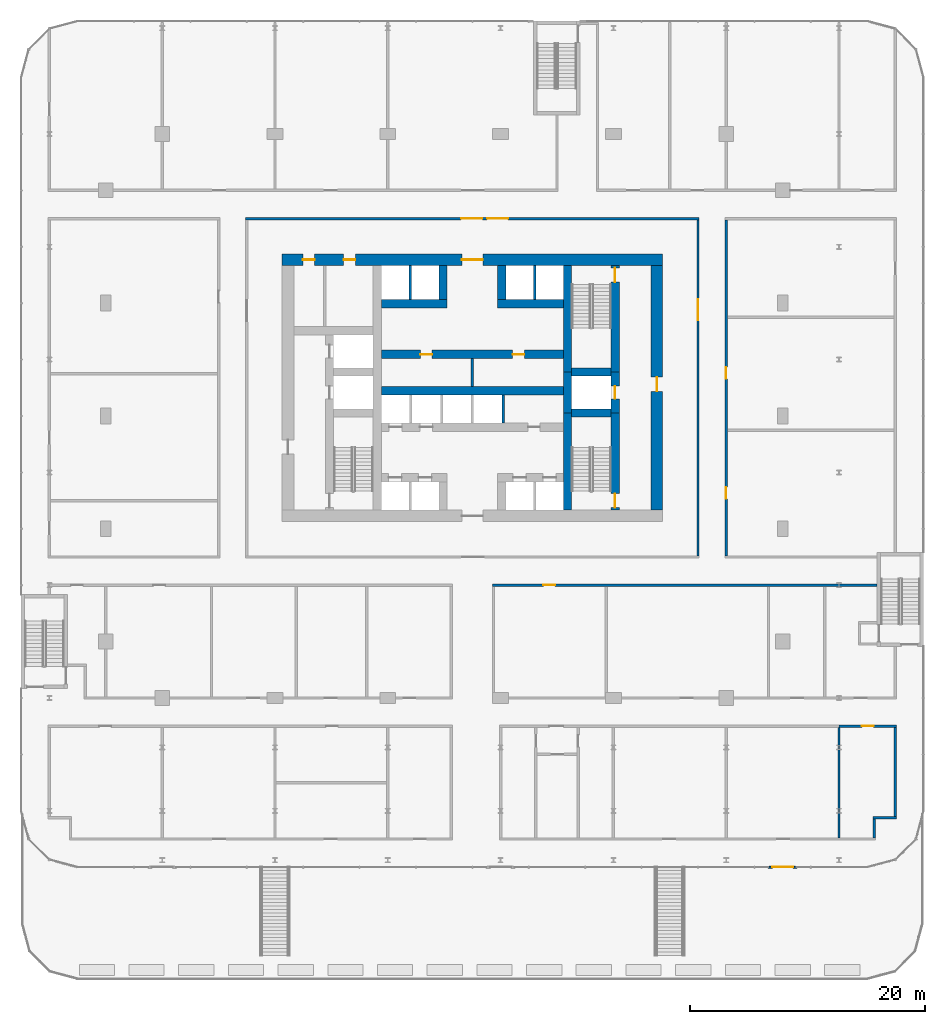
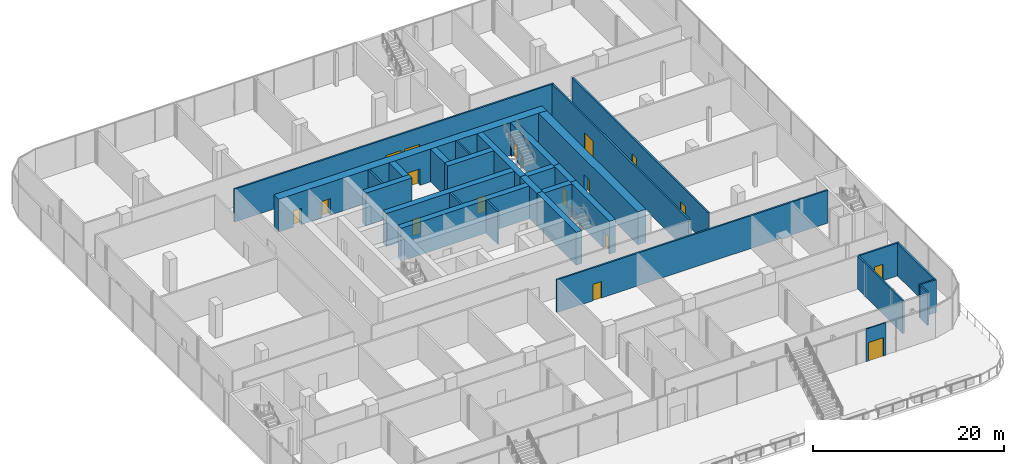
# One storey, part 29 of 38: 30 walls, 17 doors, 17 openings.
"""IFC4 building model written with IfcOpenShell, lengths in metres."""

import ifcopenshell
import ifcopenshell.guid

model = None  # the IFC model being written
_history = None  # IfcOwnerHistory: only IFC2X3 demands one
_inside = {}  # id of a spatial element -> (the spatial element, [elements in it])
_under = {}  # id of a project, library or spatial element -> (it, [spatial elements below it])
_declared = {}  # id of a project -> (the project, [libraries it declares])
_typed = {}  # id of a type object -> (the type object, [elements of that type])
_made_of = {}  # id of a material, layer set ... -> (it, [elements and type objects made of it])


def new_model(schema):
    """Start an empty IFC model of exactly this schema.

    Asked for "IFC4X3", IfcOpenShell would pick the latest addendum, in which some entities
    have other attributes; the version numbers below select the first issue.
    IFC2X3 requires an IfcOwnerHistory on every rooted entity: one is made here for all.
    """
    global model, _history
    if schema == "IFC4X3":
        model = ifcopenshell.file(schema_version=(4, 3, 0, 0))
    else:
        model = ifcopenshell.file(schema=schema)
    _inside.clear()
    _under.clear()
    _declared.clear()
    _typed.clear()
    _made_of.clear()
    _history = None
    if model.schema == "IFC2X3":
        org = make("IfcOrganization", Name="unknown")
        user = make(
            "IfcPersonAndOrganization",
            ThePerson=make("IfcPerson", FamilyName="unknown"),
            TheOrganization=org,
        )
        app = make(
            "IfcApplication",
            ApplicationDeveloper=org,
            Version="unknown",
            ApplicationFullName="unknown",
            ApplicationIdentifier="unknown",
        )
        _history = make(
            "IfcOwnerHistory",
            OwningUser=user,
            OwningApplication=app,
            ChangeAction="ADDED",
            CreationDate=0,
        )
    return model


def make(cls, **values):
    """One entity of the class cls with the attributes given. An attribute that is None is left unset."""
    return model.create_entity(
        cls, **{name: value for name, value in values.items() if value is not None}
    )


def rooted(cls, **values):
    """An entity with a GlobalId (a new one), such as an element, a storey or a relation."""
    return make(cls, GlobalId=ifcopenshell.guid.new(), OwnerHistory=_history, **values)


def si_unit(unit_type, name, prefix=None):
    """IfcSIUnit, for example si_unit("LENGTHUNIT", "METRE", prefix="MILLI")."""
    return make("IfcSIUnit", UnitType=unit_type, Prefix=prefix, Name=name)


def assignment(units):
    """IfcUnitAssignment: the units of a project."""
    return None if units is None else make("IfcUnitAssignment", Units=units)


def point(xyz):
    """IfcCartesianPoint."""
    return None if xyz is None else make("IfcCartesianPoint", Coordinates=xyz)


def direction(xyz):
    """IfcDirection."""
    return None if xyz is None else make("IfcDirection", DirectionRatios=xyz)


def frame(location, z_axis=None, x_axis=None):
    """IfcAxis2Placement3D, a coordinate frame: its origin and axes. An axis left out is left unset."""
    return make(
        "IfcAxis2Placement3D",
        Location=point(location),
        Axis=direction(z_axis),
        RefDirection=direction(x_axis),
    )


def frame_2d(location, x_axis=None):
    """IfcAxis2Placement2D, a coordinate frame in the plane: its origin and x axis."""
    return make(
        "IfcAxis2Placement2D", Location=point(location), RefDirection=direction(x_axis)
    )


def origin():
    """The frame at (0, 0, 0) with its axes left unset."""
    return frame((0.0, 0.0, 0.0))


def place(relative_to, where):
    """IfcLocalPlacement: puts the frame where relative to a parent placement (None: the world)."""
    return make(
        "IfcLocalPlacement", PlacementRelTo=relative_to, RelativePlacement=where
    )


def context(
    kind, dimensions, precision=None, world=None, true_north=None, identifier=None
):
    """IfcGeometricRepresentationContext, for example the 3D "Model" context."""
    return make(
        "IfcGeometricRepresentationContext",
        ContextIdentifier=identifier,
        ContextType=kind,
        CoordinateSpaceDimension=dimensions,
        Precision=precision,
        WorldCoordinateSystem=world,
        TrueNorth=true_north,
    )


def subcontext(parent, identifier, kind, view, scale=None):
    """IfcGeometricRepresentationSubContext, for example "Body" below "Model"."""
    return make(
        "IfcGeometricRepresentationSubContext",
        ContextIdentifier=identifier,
        ContextType=kind,
        ParentContext=parent,
        TargetScale=scale,
        TargetView=view,
    )


def project(units=None, contexts=None):
    """IfcProject with its units and contexts."""
    return rooted(
        "IfcProject",
        Name="project",
        RepresentationContexts=contexts,
        UnitsInContext=assignment(units),
    )


def spatial(cls, under=None, at=None, **own):
    """A site, building, storey or space (cls), placed at a placement, below another one or the project."""
    s = rooted(cls, ObjectPlacement=at, **own)
    if under is not None:
        _under.setdefault(under.id(), (under, []))[1].append(s)
    return s


def profile(cls, at=None, kind="AREA", **sizes):
    """A parametric profile (cls). Its sizes go by their IFC names, for example OverallWidth=200.0."""
    return make(cls, ProfileType=kind, Position=at, **sizes)


def rectangle(**sizes):
    """IfcRectangleProfileDef."""
    return profile("IfcRectangleProfileDef", **sizes)


def extrude(swept, where, along, depth):
    """IfcExtrudedAreaSolid: the profile swept, set in the frame where, extruded along a direction by depth."""
    return make(
        "IfcExtrudedAreaSolid",
        SweptArea=swept,
        Position=where,
        ExtrudedDirection=direction(along),
        Depth=depth,
    )


def shape(context_of_items, identifier, shape_type, items):
    """IfcShapeRepresentation: the items that make up one representation, for example the "Body"."""
    return make(
        "IfcShapeRepresentation",
        ContextOfItems=context_of_items,
        RepresentationIdentifier=identifier,
        RepresentationType=shape_type,
        Items=items,
    )


def material(Name=None, Category=None):
    """IfcMaterial."""
    return make("IfcMaterial", Name=Name, Category=Category)


def layer(
    of_material, thickness, ventilated=None, Name=None, Category=None, Priority=None
):
    """IfcMaterialLayer: one layer of a wall or slab, of a material (None: an air gap)."""
    return make(
        "IfcMaterialLayer",
        Material=of_material,
        LayerThickness=thickness,
        IsVentilated=ventilated,
        Name=Name,
        Category=Category,
        Priority=Priority,
    )


def layer_set(layers, Name=None):
    """IfcMaterialLayerSet."""
    return make("IfcMaterialLayerSet", MaterialLayers=layers, LayerSetName=Name)


def made_of(thing, what):
    """Note that an element or type object is made of a material, layer set ...; save() writes the relation."""
    if what is not None:
        _made_of.setdefault(what.id(), (what, []))[1].append(thing)
    return thing


def type_object(cls, material=None, **own):
    """A type object (cls), such as IfcWallType, which elements share."""
    return made_of(rooted(cls, **own), material)


def element(
    cls,
    number,
    at=None,
    inside=None,
    cuts=None,
    type_object=None,
    material=None,
    context=None,
    identifier="Body",
    shape_type=None,
    held_by="IfcProductDefinitionShape",
    body=None,
    shapes=None,
    **own,
):
    """One element of the class cls, such as IfcWall. Its Tag is "e" and its number.

    at: its placement. inside: the storey or other place that contains it. cuts: it is an
    opening in that element (IfcRelVoidsElement). A single representation is given by context,
    identifier, shape_type and body (its items); several are given by shapes. held_by: the class
    of the entity that holds the representations. save() writes the other relations.
    """
    e = rooted(cls, Tag="e%d" % number, ObjectPlacement=at, **own)
    if body is not None:
        shapes = [shape(context, identifier, shape_type, body)]
    if shapes is not None:
        e.Representation = make(held_by, Representations=shapes)
    if inside is not None:
        _inside.setdefault(inside.id(), (inside, []))[1].append(e)
    if cuts is not None:
        rooted(
            "IfcRelVoidsElement", RelatingBuildingElement=cuts, RelatedOpeningElement=e
        )
    if type_object is not None:
        _typed.setdefault(type_object.id(), (type_object, []))[1].append(e)
    return made_of(e, material)


def fill(opening, filler):
    """IfcRelFillsElement: the door or window that sits in an opening."""
    return rooted(
        "IfcRelFillsElement",
        RelatingOpeningElement=opening,
        RelatedBuildingElement=filler,
    )


def aggregate(whole, parts):
    """IfcRelAggregates: a whole, such as a stair, and the parts it consists of."""
    return rooted("IfcRelAggregates", RelatingObject=whole, RelatedObjects=parts)


def save(model, path):
    """Write the relations noted so far, then the file.

    IfcRelAggregates (storeys below a building ...), IfcRelContainedInSpatialStructure (elements
    in a storey), IfcRelDefinesByType, IfcRelAssociatesMaterial and IfcRelDeclares: one each for
    every whole, place, type object, material and project.
    """
    for whole, parts in _under.values():
        aggregate(whole, parts)
    for where, things in _inside.values():
        rooted(
            "IfcRelContainedInSpatialStructure",
            RelatedElements=things,
            RelatingStructure=where,
        )
    for kind, things in _typed.values():
        rooted("IfcRelDefinesByType", RelatedObjects=things, RelatingType=kind)
    for what, things in _made_of.values():
        rooted("IfcRelAssociatesMaterial", RelatedObjects=things, RelatingMaterial=what)
    for by, libraries in _declared.values():
        rooted("IfcRelDeclares", RelatingContext=by, RelatedDefinitions=libraries)
    model.write(path)


model = new_model("IFC4")

# Units and contexts
model_context = context("Model", 3, precision=1e-05, world=origin(), true_north=direction((0.0, 1.0)))
body_context = subcontext(model_context, "Body", "Model", "MODEL_VIEW")
ifc_project = project(units=[si_unit("LENGTHUNIT", "METRE"), si_unit("AREAUNIT", "SQUARE_METRE"), si_unit("VOLUMEUNIT", "CUBIC_METRE"), si_unit("PLANEANGLEUNIT", "RADIAN"), si_unit("MASSUNIT", "GRAM", prefix="KILO")], contexts=[model_context])

# Site, building, storey
site_placement = place(None, origin())
site = spatial("IfcSite", under=ifc_project, at=site_placement, CompositionType="ELEMENT")
building_placement = place(site_placement, origin())
building = spatial("IfcBuilding", under=site, at=building_placement, Name="Madar Terraces", CompositionType="ELEMENT")
storey_placement = place(building_placement, frame((0.0, 0.0, 15.0)))
storey = spatial("IfcBuildingStorey", under=building, at=storey_placement, Name="L03", CompositionType="ELEMENT", Elevation=15.0)

# Walls
ifc_material_1 = material(Name="Concrete C80/95", Category="concrete")
ifc_layer_1 = layer(ifc_material_1, 0.699951171875)
ifc_layer_set_1 = layer_set([ifc_layer_1], Name="Concrete C80/95 (CIW1 RC wall 700)")
wall_type_1 = type_object("IfcWallType", Name="CIW1 RC wall 700", PredefinedType="SHEAR", material=ifc_layer_set_1)
wall_1_placement = place(storey_placement, frame((39.300048828125, 16.0, 0.0), z_axis=(0.0, 0.0, 1.0), x_axis=(0.0, 1.0, 0.0)))
element("IfcWall", 1, at=wall_1_placement, inside=storey, type_object=wall_type_1, Name="CORE SHAFT WALL", PredefinedType="SHEAR", context=body_context, shape_type="SweptSolid", body=[
    extrude(rectangle(XDim=8.25, YDim=0.699951171875, at=frame_2d((4.125, 0.0))), origin(), (0.0, 0.0, 1.0), 4.199951171875),
])
wall_2_placement = place(storey_placement, frame((39.300048828125, 24.25, 0.0), z_axis=(0.0, 0.0, 1.0), x_axis=(0.0, 1.0, 0.0)))
element("IfcWall", 2, at=wall_2_placement, inside=storey, type_object=wall_type_1, Name="CORE SHAFT WALL", PredefinedType="SHEAR", context=body_context, shape_type="SweptSolid", body=[
    extrude(rectangle(XDim=3.5, YDim=0.699951171875, at=frame_2d((1.75, 0.0))), origin(), (0.0, 0.0, 1.0), 4.199951171875),
])
wall_3_placement = place(storey_placement, frame((39.300048828125, 27.75, 0.0), z_axis=(0.0, 0.0, 1.0), x_axis=(0.0, 1.0, 0.0)))
element("IfcWall", 3, at=wall_3_placement, inside=storey, type_object=wall_type_1, Name="CORE SHAFT WALL", PredefinedType="SHEAR", context=body_context, shape_type="SweptSolid", body=[
    extrude(rectangle(XDim=9.050048828125, YDim=0.699951171875, at=frame_2d((4.52490234375, 0.0))), origin(), (0.0, 0.0, 1.0), 4.199951171875),
])

# Wall, opening, door
wall_4_placement = place(storey_placement, frame((43.35009765625, 16.0, 0.0), z_axis=(0.0, 0.0, 1.0), x_axis=(0.0, 1.0, 0.0)))
wall_4 = element("IfcWall", 4, at=wall_4_placement, inside=storey, type_object=wall_type_1, Name="CORE SHAFT WALL", PredefinedType="SHEAR", context=body_context, shape_type="SweptSolid", body=[
    extrude(rectangle(XDim=8.25, YDim=0.699951171875, at=frame_2d((4.125, 0.0))), origin(), (0.0, 0.0, 1.0), 4.199951171875),
])
opening_1_placement = place(wall_4_placement, frame((0.199951171875, 0.0, 0.0)))
opening_1 = element("IfcOpeningElement", 5, at=opening_1_placement, cuts=wall_4, Name="Opening SD1", PredefinedType="OPENING", context=body_context, shape_type="SweptSolid", body=[
    extrude(rectangle(XDim=1.199951171875, YDim=2.10009765625, at=frame_2d((0.60009765625, 1.050048828125))), frame((0.0, 0.35986328125, 0.0), z_axis=(0.0, -1.0, 0.0), x_axis=(1.0, 0.0, 0.0)), (0.0, 0.0, 1.0), 0.719970703125),
])
ifc_material_2 = material(Name="Steel door leaf", Category="steel")
door_type_1 = type_object("IfcDoorType", Name="Stair door 1200 x 2100", OperationType="NOTDEFINED", PredefinedType="DOOR", material=ifc_material_2)
door_1_placement = place(opening_1_placement, origin())
door_1 = element("IfcDoor", 6, at=door_1_placement, inside=storey, type_object=door_type_1, Name="STAIR DOOR", OperationType="SINGLE_SWING_RIGHT", OverallHeight=2.10009765625, OverallWidth=1.199951171875, PredefinedType="DOOR", context=body_context, shape_type="SweptSolid", body=[
    extrude(rectangle(XDim=1.199951171875, YDim=2.10009765625, at=frame_2d((0.60009765625, 1.050048828125))), frame((0.0, 0.02490234375, 0.0), z_axis=(0.0, -1.0, 0.0), x_axis=(1.0, 0.0, 0.0)), (0.0, 0.0, 1.0), 0.050048828125),
])
fill(opening_1, door_1)

wall_5_placement = place(storey_placement, frame((43.35009765625, 24.25, 0.0), z_axis=(0.0, 0.0, 1.0), x_axis=(0.0, 1.0, 0.0)))
wall_5 = element("IfcWall", 7, at=wall_5_placement, inside=storey, type_object=wall_type_1, Name="CORE SHAFT WALL", PredefinedType="SHEAR", context=body_context, shape_type="SweptSolid", body=[
    extrude(rectangle(XDim=3.5, YDim=0.699951171875, at=frame_2d((1.75, 0.0))), origin(), (0.0, 0.0, 1.0), 4.199951171875),
])
opening_2_placement = place(wall_5_placement, frame((1.199951171875, 0.0, 0.0)))
opening_2 = element("IfcOpeningElement", 8, at=opening_2_placement, cuts=wall_5, Name="Opening LD", PredefinedType="OPENING", context=body_context, shape_type="SweptSolid", body=[
    extrude(rectangle(XDim=1.10009765625, YDim=2.10009765625, at=frame_2d((0.550048828125, 1.050048828125))), frame((0.0, 0.35986328125, 0.0), z_axis=(0.0, -1.0, 0.0), x_axis=(1.0, 0.0, 0.0)), (0.0, 0.0, 1.0), 0.719970703125),
])
ifc_material_3 = material(Name="Stainless steel panel", Category="steel")
door_type_2 = type_object("IfcDoorType", Name="Lift landing door 1100 x 2100", OperationType="DOUBLE_DOOR_SLIDING", PredefinedType="DOOR", material=ifc_material_3)
door_2_placement = place(opening_2_placement, origin())
door_2 = element("IfcDoor", 9, at=door_2_placement, inside=storey, type_object=door_type_2, Name="LIFT LANDING DOOR", OperationType="DOUBLE_DOOR_SLIDING", OverallHeight=2.10009765625, OverallWidth=1.10009765625, PredefinedType="DOOR", context=body_context, shape_type="SweptSolid", body=[
    extrude(rectangle(XDim=1.10009765625, YDim=2.10009765625, at=frame_2d((0.550048828125, 1.050048828125))), frame((0.0, 0.02490234375, 0.0), z_axis=(0.0, -1.0, 0.0), x_axis=(1.0, 0.0, 0.0)), (0.0, 0.0, 1.0), 0.050048828125),
])
fill(opening_2, door_2)

wall_6_placement = place(storey_placement, frame((43.35009765625, 27.75, 0.0), z_axis=(0.0, 0.0, 1.0), x_axis=(0.0, 1.0, 0.0)))
wall_6 = element("IfcWall", 10, at=wall_6_placement, inside=storey, type_object=wall_type_1, Name="CORE SHAFT WALL", PredefinedType="SHEAR", context=body_context, shape_type="SweptSolid", body=[
    extrude(rectangle(XDim=9.050048828125, YDim=0.699951171875, at=frame_2d((4.52490234375, 0.0))), origin(), (0.0, 0.0, 1.0), 4.199951171875),
])
opening_3_placement = place(wall_6_placement, frame((7.64990234375, 0.0, 0.0)))
opening_3 = element("IfcOpeningElement", 11, at=opening_3_placement, cuts=wall_6, Name="Opening SD1", PredefinedType="OPENING", context=body_context, shape_type="SweptSolid", body=[
    extrude(rectangle(XDim=1.199951171875, YDim=2.10009765625, at=frame_2d((0.60009765625, 1.050048828125))), frame((0.0, 0.35986328125, 0.0), z_axis=(0.0, -1.0, 0.0), x_axis=(1.0, 0.0, 0.0)), (0.0, 0.0, 1.0), 0.719970703125),
])
door_3_placement = place(opening_3_placement, origin())
door_3 = element("IfcDoor", 12, at=door_3_placement, inside=storey, type_object=door_type_1, Name="STAIR DOOR", OperationType="SINGLE_SWING_LEFT", OverallHeight=2.10009765625, OverallWidth=1.199951171875, PredefinedType="DOOR", context=body_context, shape_type="SweptSolid", body=[
    extrude(rectangle(XDim=1.199951171875, YDim=2.10009765625, at=frame_2d((0.60009765625, 1.050048828125))), frame((0.0, 0.02490234375, 0.0), z_axis=(0.0, -1.0, 0.0), x_axis=(1.0, 0.0, 0.0)), (0.0, 0.0, 1.0), 0.050048828125),
])
fill(opening_3, door_3)

# Walls
for number, where, z_axis, x_axis, name in (
    (13, (39.64990234375, 24.25, 0.0), (0.0, 0.0, 1.0), (1.0, 0.0, 0.0), "CORE SHAFT WALL"),
    (14, (39.64990234375, 27.75, 0.0), (0.0, 0.0, 1.0), (1.0, 0.0, 0.0), "CORE SHAFT WALL"),
):
    element("IfcWall", number, at=place(storey_placement, frame(where, z_axis=z_axis, x_axis=x_axis)), inside=storey, type_object=wall_type_1, Name=name, PredefinedType="SHEAR", context=body_context, shape_type="SweptSolid", body=[
        extrude(rectangle(XDim=3.35009765625, YDim=0.699951171875, at=frame_2d((1.675048828125, 0.0))), origin(), (0.0, 0.0, 1.0), 4.199951171875),
    ])
wall_7_placement = place(storey_placement, frame((23.449951171875, 26.14990234375, 0.0), z_axis=(0.0, 0.0, 1.0), x_axis=(1.0, 0.0, 0.0)))
element("IfcWall", 15, at=wall_7_placement, inside=storey, type_object=wall_type_1, Name="CORE SHAFT WALL", PredefinedType="SHEAR", context=body_context, shape_type="SweptSolid", body=[
    extrude(rectangle(XDim=15.5, YDim=0.699951171875, at=frame_2d((7.75, 0.0))), origin(), (0.0, 0.0, 1.0), 4.199951171875),
])

# Wall, openings, doors
wall_8_placement = place(storey_placement, frame((23.449951171875, 29.25, 0.0), z_axis=(0.0, 0.0, 1.0), x_axis=(1.0, 0.0, 0.0)))
wall_8 = element("IfcWall", 16, at=wall_8_placement, inside=storey, type_object=wall_type_1, Name="CORE SHAFT WALL", PredefinedType="SHEAR", context=body_context, shape_type="SweptSolid", body=[
    extrude(rectangle(XDim=15.5, YDim=0.699951171875, at=frame_2d((7.75, 0.0))), origin(), (0.0, 0.0, 1.0), 4.199951171875),
])
opening_4_placement = place(wall_8_placement, frame((3.324951171875, 0.0, 0.0)))
opening_4 = element("IfcOpeningElement", 17, at=opening_4_placement, cuts=wall_8, Name="Opening KD2", PredefinedType="OPENING", context=body_context, shape_type="SweptSolid", body=[
    extrude(rectangle(XDim=1.0, YDim=2.10009765625, at=frame_2d((0.5, 1.050048828125))), frame((0.0, 0.35986328125, 0.0), z_axis=(0.0, -1.0, 0.0), x_axis=(1.0, 0.0, 0.0)), (0.0, 0.0, 1.0), 0.719970703125),
])
opening_5_placement = place(wall_8_placement, frame((11.175048828125, 0.0, 0.0)))
opening_5 = element("IfcOpeningElement", 18, at=opening_5_placement, cuts=wall_8, Name="Opening KD2", PredefinedType="OPENING", context=body_context, shape_type="SweptSolid", body=[
    extrude(rectangle(XDim=1.0, YDim=2.10009765625, at=frame_2d((0.5, 1.050048828125))), frame((0.0, 0.35986328125, 0.0), z_axis=(0.0, -1.0, 0.0), x_axis=(1.0, 0.0, 0.0)), (0.0, 0.0, 1.0), 0.719970703125),
])
ifc_material_4 = material(Name="Steel door leaf", Category="steel")
door_type_3 = type_object("IfcDoorType", Name="Service room door 1000 x 2100", OperationType="NOTDEFINED", PredefinedType="DOOR", material=ifc_material_4)
door_4_placement = place(opening_4_placement, origin())
door_4 = element("IfcDoor", 19, at=door_4_placement, inside=storey, type_object=door_type_3, Name="SERVICE ROOM DOOR", OperationType="SINGLE_SWING_LEFT", OverallHeight=2.10009765625, OverallWidth=1.0, PredefinedType="DOOR", context=body_context, shape_type="SweptSolid", body=[
    extrude(rectangle(XDim=1.0, YDim=2.10009765625, at=frame_2d((0.5, 1.050048828125))), frame((0.0, 0.02490234375, 0.0), z_axis=(0.0, -1.0, 0.0), x_axis=(1.0, 0.0, 0.0)), (0.0, 0.0, 1.0), 0.050048828125),
])
fill(opening_4, door_4)
door_5_placement = place(opening_5_placement, origin())
door_5 = element("IfcDoor", 20, at=door_5_placement, inside=storey, type_object=door_type_3, Name="SERVICE ROOM DOOR", OperationType="SINGLE_SWING_RIGHT", OverallHeight=2.10009765625, OverallWidth=1.0, PredefinedType="DOOR", context=body_context, shape_type="SweptSolid", body=[
    extrude(rectangle(XDim=1.0, YDim=2.10009765625, at=frame_2d((0.5, 1.050048828125))), frame((0.0, 0.02490234375, 0.0), z_axis=(0.0, -1.0, 0.0), x_axis=(1.0, 0.0, 0.0)), (0.0, 0.0, 1.0), 0.050048828125),
])
fill(opening_5, door_5)

# Walls
wall_9_placement = place(storey_placement, frame((23.449951171875, 33.550048828125, 0.0), z_axis=(0.0, 0.0, 1.0), x_axis=(1.0, 0.0, 0.0)))
element("IfcWall", 21, at=wall_9_placement, inside=storey, type_object=wall_type_1, Name="CORE SHAFT WALL", PredefinedType="SHEAR", context=body_context, shape_type="SweptSolid", body=[
    extrude(rectangle(XDim=5.60009765625, YDim=0.699951171875, at=frame_2d((2.800048828125, 0.0))), origin(), (0.0, 0.0, 1.0), 4.199951171875),
])
wall_10_placement = place(storey_placement, frame((33.35009765625, 33.550048828125, 0.0), z_axis=(0.0, 0.0, 1.0), x_axis=(1.0, 0.0, 0.0)))
element("IfcWall", 22, at=wall_10_placement, inside=storey, type_object=wall_type_1, Name="CORE SHAFT WALL", PredefinedType="SHEAR", context=body_context, shape_type="SweptSolid", body=[
    extrude(rectangle(XDim=5.599853515625, YDim=0.699951171875, at=frame_2d((2.7998046875, 0.0))), origin(), (0.0, 0.0, 1.0), 4.199951171875),
])
for number, where, z_axis, x_axis, name in (
    (23, (28.699951171875, 33.89990234375, 0.0), (0.0, 0.0, 1.0), (0.0, 1.0, 0.0), "CORE SHAFT WALL"),
    (24, (33.699951171875, 33.89990234375, 0.0), (0.0, 0.0, 1.0), (0.0, 1.0, 0.0), "CORE SHAFT WALL"),
):
    element("IfcWall", number, at=place(storey_placement, frame(where, z_axis=z_axis, x_axis=x_axis)), inside=storey, type_object=wall_type_1, Name=name, PredefinedType="SHEAR", context=body_context, shape_type="SweptSolid", body=[
        extrude(rectangle(XDim=2.900146484375, YDim=0.699951171875, at=frame_2d((1.4501953125, 0.0))), origin(), (0.0, 0.0, 1.0), 4.199951171875),
    ])

# Wall, openings, doors
ifc_material_5 = material(Name="Concrete C80/95", Category="concrete")
ifc_layer_2 = layer(ifc_material_5, 1.0)
ifc_layer_set_2 = layer_set([ifc_layer_2], Name="Concrete C80/95 (CRW1 RC wall 1000)")
wall_type_2 = type_object("IfcWallType", Name="CRW1 RC wall 1000", PredefinedType="SHEAR", material=ifc_layer_set_2)
wall_11_placement = place(storey_placement, frame((15.0, 37.300048828125, 0.0), z_axis=(0.0, 0.0, 1.0), x_axis=(1.0, 0.0, 0.0)))
wall_11 = element("IfcWall", 25, at=wall_11_placement, inside=storey, type_object=wall_type_2, Name="CORE OUTER WALL", PredefinedType="SHEAR", context=body_context, shape_type="SweptSolid", body=[
    extrude(rectangle(XDim=32.39990234375, YDim=1.0, at=frame_2d((16.199951171875, 0.0))), origin(), (0.0, 0.0, 1.0), 4.199951171875),
])
opening_6_placement = place(wall_11_placement, frame((15.300048828125, 0.0, 0.0)))
opening_6 = element("IfcOpeningElement", 26, at=opening_6_placement, cuts=wall_11, Name="Opening KD1", PredefinedType="OPENING", context=body_context, shape_type="SweptSolid", body=[
    extrude(rectangle(XDim=1.800048828125, YDim=2.10009765625, at=frame_2d((0.89990234375, 1.050048828125))), frame((0.0, 0.510009765625, 0.0), z_axis=(0.0, -1.0, 0.0), x_axis=(1.0, 0.0, 0.0)), (0.0, 0.0, 1.0), 1.02001953125),
])
opening_7_placement = place(wall_11_placement, frame((1.766357421875, 0.0, 0.0)))
opening_7 = element("IfcOpeningElement", 27, at=opening_7_placement, cuts=wall_11, Name="Opening KD2", PredefinedType="OPENING", context=body_context, shape_type="SweptSolid", body=[
    extrude(rectangle(XDim=1.0, YDim=2.10009765625, at=frame_2d((0.5, 1.050048828125))), frame((0.0, 0.510009765625, 0.0), z_axis=(0.0, -1.0, 0.0), x_axis=(1.0, 0.0, 0.0)), (0.0, 0.0, 1.0), 1.02001953125),
])
opening_8_placement = place(wall_11_placement, frame((5.2412109375, 0.0, 0.0)))
opening_8 = element("IfcOpeningElement", 28, at=opening_8_placement, cuts=wall_11, Name="Opening KD2", PredefinedType="OPENING", context=body_context, shape_type="SweptSolid", body=[
    extrude(rectangle(XDim=1.0, YDim=2.10009765625, at=frame_2d((0.5, 1.050048828125))), frame((0.0, 0.510009765625, 0.0), z_axis=(0.0, -1.0, 0.0), x_axis=(1.0, 0.0, 0.0)), (0.0, 0.0, 1.0), 1.02001953125),
])
ifc_material_6 = material(Name="Steel door leaf", Category="steel")
door_type_4 = type_object("IfcDoorType", Name="Lobby door pair 1800 x 2100", OperationType="DOUBLE_DOOR_SINGLE_SWING", PredefinedType="DOOR", material=ifc_material_6)
door_6_placement = place(opening_6_placement, origin())
door_6 = element("IfcDoor", 29, at=door_6_placement, inside=storey, type_object=door_type_4, Name="LIFT LOBBY DOOR", OperationType="DOUBLE_DOOR_SINGLE_SWING", OverallHeight=2.10009765625, OverallWidth=1.800048828125, PredefinedType="DOOR", context=body_context, shape_type="SweptSolid", body=[
    extrude(rectangle(XDim=1.800048828125, YDim=2.10009765625, at=frame_2d((0.89990234375, 1.050048828125))), frame((0.0, 0.02490234375, 0.0), z_axis=(0.0, -1.0, 0.0), x_axis=(1.0, 0.0, 0.0)), (0.0, 0.0, 1.0), 0.050048828125),
])
fill(opening_6, door_6)
door_7_placement = place(opening_7_placement, origin())
door_7 = element("IfcDoor", 30, at=door_7_placement, inside=storey, type_object=door_type_3, Name="SERVICE ROOM DOOR", OperationType="SINGLE_SWING_RIGHT", OverallHeight=2.10009765625, OverallWidth=1.0, PredefinedType="DOOR", context=body_context, shape_type="SweptSolid", body=[
    extrude(rectangle(XDim=1.0, YDim=2.10009765625, at=frame_2d((0.5, 1.050048828125))), frame((0.0, 0.02490234375, 0.0), z_axis=(0.0, -1.0, 0.0), x_axis=(1.0, 0.0, 0.0)), (0.0, 0.0, 1.0), 0.050048828125),
])
fill(opening_7, door_7)
door_8_placement = place(opening_8_placement, origin())
door_8 = element("IfcDoor", 31, at=door_8_placement, inside=storey, type_object=door_type_3, Name="SERVICE ROOM DOOR", OperationType="SINGLE_SWING_LEFT", OverallHeight=2.10009765625, OverallWidth=1.0, PredefinedType="DOOR", context=body_context, shape_type="SweptSolid", body=[
    extrude(rectangle(XDim=1.0, YDim=2.10009765625, at=frame_2d((0.5, 1.050048828125))), frame((0.0, 0.02490234375, 0.0), z_axis=(0.0, -1.0, 0.0), x_axis=(1.0, 0.0, 0.0)), (0.0, 0.0, 1.0), 0.050048828125),
])
fill(opening_8, door_8)

# Wall, opening, door
wall_12_placement = place(storey_placement, frame((46.89990234375, 16.0, 0.0), z_axis=(0.0, 0.0, 1.0), x_axis=(0.0, 1.0, 0.0)))
wall_12 = element("IfcWall", 32, at=wall_12_placement, inside=storey, type_object=wall_type_2, Name="CORE OUTER WALL", PredefinedType="SHEAR", context=body_context, shape_type="SweptSolid", body=[
    extrude(rectangle(XDim=20.800048828125, YDim=1.0, at=frame_2d((10.39990234375, 0.0))), origin(), (0.0, 0.0, 1.0), 4.199951171875),
])
opening_9_placement = place(wall_12_placement, frame((10.10009765625, 0.0, 0.0)))
opening_9 = element("IfcOpeningElement", 33, at=opening_9_placement, cuts=wall_12, Name="Opening SD1", PredefinedType="OPENING", context=body_context, shape_type="SweptSolid", body=[
    extrude(rectangle(XDim=1.199951171875, YDim=2.10009765625, at=frame_2d((0.60009765625, 1.050048828125))), frame((0.0, 0.510009765625, 0.0), z_axis=(0.0, -1.0, 0.0), x_axis=(1.0, 0.0, 0.0)), (0.0, 0.0, 1.0), 1.02001953125),
])
door_9_placement = place(opening_9_placement, origin())
door_9 = element("IfcDoor", 34, at=door_9_placement, inside=storey, type_object=door_type_1, Name="STAIR DOOR", OperationType="SINGLE_SWING_LEFT", OverallHeight=2.10009765625, OverallWidth=1.199951171875, PredefinedType="DOOR", context=body_context, shape_type="SweptSolid", body=[
    extrude(rectangle(XDim=1.199951171875, YDim=2.10009765625, at=frame_2d((0.60009765625, 1.050048828125))), frame((0.0, 0.02490234375, 0.0), z_axis=(0.0, -1.0, 0.0), x_axis=(1.0, 0.0, 0.0)), (0.0, 0.0, 1.0), 0.050048828125),
])
fill(opening_9, door_9)

# Walls
ifc_material_7 = material(Name="Masonry blockwork", Category="masonry")
ifc_layer_3 = layer(ifc_material_7, 0.199951171875)
ifc_layer_set_3 = layer_set([ifc_layer_3], Name="Core partition 200 blockwork")
wall_type_3 = type_object("IfcWallType", Name="Core partition 200 blockwork", PredefinedType="PARTITIONING", material=ifc_layer_set_3)
wall_13_placement = place(storey_placement, frame((31.199951171875, 26.5, 0.0), z_axis=(0.0, 0.0, 1.0), x_axis=(0.0, 1.0, 0.0)))
element("IfcWall", 35, at=wall_13_placement, inside=storey, type_object=wall_type_3, Name="SERVICE ROOM PARTITION", PredefinedType="PARTITIONING", context=body_context, shape_type="SweptSolid", body=[
    extrude(rectangle(XDim=2.39990234375, YDim=0.199951171875, at=frame_2d((1.199951171875, 0.0))), origin(), (0.0, 0.0, 1.0), 4.199951171875),
])
ifc_material_8 = material(Name="Concrete C40/50", Category="concrete")
ifc_layer_4 = layer(ifc_material_8, 0.199951171875)
ifc_layer_set_4 = layer_set([ifc_layer_4], Name="Core shaft dividing wall 200 C40/50")
wall_type_4 = type_object("IfcWallType", Name="Core shaft dividing wall 200 C40/50", PredefinedType="SOLIDWALL", material=ifc_layer_set_4)
wall_14_placement = place(storey_placement, frame((33.816650390625, 23.39990234375, 0.0), z_axis=(0.0, 0.0, 1.0), x_axis=(0.0, 1.0, 0.0)))
element("IfcWall", 36, at=wall_14_placement, inside=storey, type_object=wall_type_4, Name="SHAFT DIVIDING WALL", PredefinedType="SOLIDWALL", context=body_context, shape_type="SweptSolid", body=[
    extrude(rectangle(XDim=2.400146484375, YDim=0.199951171875, at=frame_2d((1.2001953125, 0.0))), origin(), (0.0, 0.0, 1.0), 4.199951171875),
])
for number, where, z_axis, x_axis, name in (
    (37, (25.89990234375, 33.89990234375, 0.0), (0.0, 0.0, 1.0), (0.0, 1.0, 0.0), "SHAFT DIVIDING WALL"),
    (38, (36.5, 33.89990234375, 0.0), (0.0, 0.0, 1.0), (0.0, 1.0, 0.0), "SHAFT DIVIDING WALL"),
):
    element("IfcWall", number, at=place(storey_placement, frame(where, z_axis=z_axis, x_axis=x_axis)), inside=storey, type_object=wall_type_4, Name=name, PredefinedType="SOLIDWALL", context=body_context, shape_type="SweptSolid", body=[
        extrude(rectangle(XDim=2.900146484375, YDim=0.199951171875, at=frame_2d((1.4501953125, 0.0))), origin(), (0.0, 0.0, 1.0), 4.199951171875),
    ])

# Wall, opening, door
ifc_material_9 = material(Name="Aluminium composite panel, black, over insulated backing", Category="aluminium")
ifc_layer_5 = layer(ifc_material_9, 0.14990234375)
ifc_layer_set_5 = layer_set([ifc_layer_5], Name="Facade bay panel 150")
wall_type_5 = type_object("IfcWallType", Name="Facade bay panel 150", PredefinedType="SOLIDWALL", material=ifc_layer_set_5)
wall_15_placement = place(storey_placement, frame((56.39990234375, -14.39990234375, 0.0), z_axis=(0.0, 0.0, 1.0), x_axis=(1.0, 0.0, 0.0)))
wall_15 = element("IfcWall", 39, at=wall_15_placement, inside=storey, type_object=wall_type_5, Name="Facade bay panel", PredefinedType="SOLIDWALL", context=body_context, shape_type="SweptSolid", body=[
    extrude(rectangle(XDim=2.400146484375, YDim=0.14990234375, at=frame_2d((1.2001953125, 0.0))), origin(), (0.0, 0.0, 1.0), 4.199951171875),
])
opening_10_placement = place(wall_15_placement, frame((0.300048828125, 0.0, 0.0)))
opening_10 = element("IfcOpeningElement", 40, at=opening_10_placement, cuts=wall_15, Name="Opening ED1", PredefinedType="OPENING", context=body_context, shape_type="SweptSolid", body=[
    extrude(rectangle(XDim=1.800048828125, YDim=2.39990234375, at=frame_2d((0.89990234375, 1.199951171875))), frame((0.0, 0.0849609375, 0.0), z_axis=(0.0, -1.0, 0.0), x_axis=(1.0, 0.0, 0.0)), (0.0, 0.0, 1.0), 0.169921875),
])
ifc_material_10 = material(Name="Glass, clear, with black aluminium frame", Category="aluminium")
door_type_5 = type_object("IfcDoorType", Name="Balcony and terrace sliding door 1800 x 2400", OperationType="SLIDING_TO_LEFT", PredefinedType="DOOR", material=ifc_material_10)
door_10_placement = place(opening_10_placement, origin())
door_10 = element("IfcDoor", 41, at=door_10_placement, inside=storey, type_object=door_type_5, Name="Balcony door", OperationType="SLIDING_TO_LEFT", OverallHeight=2.39990234375, OverallWidth=1.800048828125, PredefinedType="DOOR", context=body_context, shape_type="SweptSolid", body=[
    extrude(rectangle(XDim=1.800048828125, YDim=2.39990234375, at=frame_2d((0.89990234375, 1.199951171875))), frame((0.0, 0.02490234375, 0.0), z_axis=(0.0, -1.0, 0.0), x_axis=(1.0, 0.0, 0.0)), (0.0, 0.0, 1.0), 0.050048828125),
])
fill(opening_10, door_10)

# Wall
ifc_material_11 = material(Name="Gypsum board partition, fire-rated")
ifc_layer_6 = layer(ifc_material_11, 0.199951171875)
ifc_layer_set_6 = layer_set([ifc_layer_6], Name="Partition 200 EI 60")
wall_type_6 = type_object("IfcWallType", Name="Partition 200 EI 60", PredefinedType="PARTITIONING", material=ifc_layer_set_6)
wall_16_placement = place(storey_placement, frame((65.300048828125, -10.199951171875, 0.0), z_axis=(0.0, 0.0, 1.0), x_axis=(1.0, 0.0, 0.0)))
element("IfcWall", 42, at=wall_16_placement, inside=storey, type_object=wall_type_6, Name="Wall CRAFT ROOM / PODIUM CORRIDOR", PredefinedType="PARTITIONING", context=body_context, shape_type="SweptSolid", body=[
    extrude(rectangle(XDim=2.0, YDim=0.199951171875, at=frame_2d((1.0, 0.0))), origin(), (0.0, 0.0, 1.0), 4.199951171875),
])

# Wall, opening, door
wall_17_placement = place(storey_placement, frame((67.300048828125, -2.39990234375, 0.0), z_axis=(0.0, 0.0, 1.0), x_axis=(-1.0, 0.0, 0.0)))
wall_17 = element("IfcWall", 43, at=wall_17_placement, inside=storey, type_object=wall_type_6, Name="Wall CRAFT ROOM / PODIUM CORRIDOR", PredefinedType="PARTITIONING", context=body_context, shape_type="SweptSolid", body=[
    extrude(rectangle(XDim=4.900146484375, YDim=0.199951171875, at=frame_2d((2.4501953125, 0.0))), origin(), (0.0, 0.0, 1.0), 4.199951171875),
])
opening_11_placement = place(wall_17_placement, frame((1.949951171875, 0.0, 0.0)))
opening_11 = element("IfcOpeningElement", 44, at=opening_11_placement, cuts=wall_17, Name="Opening D31", PredefinedType="OPENING", context=body_context, shape_type="SweptSolid", body=[
    extrude(rectangle(XDim=1.0, YDim=2.10009765625, at=frame_2d((0.5, 1.050048828125))), frame((0.0, 0.10986328125, 0.0), z_axis=(0.0, -1.0, 0.0), x_axis=(1.0, 0.0, 0.0)), (0.0, 0.0, 1.0), 0.219970703125),
])
ifc_material_12 = material(Name="Timber door leaf, fire-rated", Category="wood")
door_type_6 = type_object("IfcDoorType", Name="Podium door 1000 x 2100 FD30S", OperationType="NOTDEFINED", PredefinedType="DOOR", material=ifc_material_12)
door_11_placement = place(opening_11_placement, origin())
door_11 = element("IfcDoor", 45, at=door_11_placement, inside=storey, type_object=door_type_6, Name="Door CRAFT ROOM / PODIUM CORRIDOR", OperationType="SINGLE_SWING_LEFT", OverallHeight=2.10009765625, OverallWidth=1.0, PredefinedType="DOOR", context=body_context, shape_type="SweptSolid", body=[
    extrude(rectangle(XDim=1.0, YDim=2.10009765625, at=frame_2d((0.5, 1.050048828125))), frame((0.0, 0.02490234375, 0.0), z_axis=(0.0, -1.0, 0.0), x_axis=(1.0, 0.0, 0.0)), (0.0, 0.0, 1.0), 0.050048828125),
])
fill(opening_11, door_11)

wall_18_placement = place(storey_placement, frame((65.64990234375, 9.60009765625, 0.0), z_axis=(0.0, 0.0, 1.0), x_axis=(-1.0, 0.0, 0.0)))
wall_18 = element("IfcWall", 46, at=wall_18_placement, inside=storey, type_object=wall_type_6, Name="Wall ACTIVITY ROOM + CHILDRENS LIBRARY", PredefinedType="PARTITIONING", context=body_context, shape_type="SweptSolid", body=[
    extrude(rectangle(XDim=32.75, YDim=0.199951171875, at=frame_2d((16.375, 0.0))), origin(), (0.0, 0.0, 1.0), 4.199951171875),
])
opening_12_placement = place(wall_18_placement, frame((27.39990234375, 0.0, 0.0)))
opening_12 = element("IfcOpeningElement", 47, at=opening_12_placement, cuts=wall_18, Name="Opening D31", PredefinedType="OPENING", context=body_context, shape_type="SweptSolid", body=[
    extrude(rectangle(XDim=1.0, YDim=2.10009765625, at=frame_2d((0.5, 1.050048828125))), frame((0.0, 0.10986328125, 0.0), z_axis=(0.0, -1.0, 0.0), x_axis=(1.0, 0.0, 0.0)), (0.0, 0.0, 1.0), 0.219970703125),
])
door_12_placement = place(opening_12_placement, origin())
door_12 = element("IfcDoor", 48, at=door_12_placement, inside=storey, type_object=door_type_6, Name="Door CHILDRENS LIBRARY / PODIUM CORRIDOR", OperationType="SINGLE_SWING_LEFT", OverallHeight=2.10009765625, OverallWidth=1.0, PredefinedType="DOOR", context=body_context, shape_type="SweptSolid", body=[
    extrude(rectangle(XDim=1.0, YDim=2.10009765625, at=frame_2d((0.5, 1.050048828125))), frame((0.0, 0.02490234375, 0.0), z_axis=(0.0, -1.0, 0.0), x_axis=(1.0, 0.0, 0.0)), (0.0, 0.0, 1.0), 0.050048828125),
])
fill(opening_12, door_12)

# Wall, openings, doors
wall_19_placement = place(storey_placement, frame((50.5, 40.800048828125, 0.0), z_axis=(0.0, 0.0, 1.0), x_axis=(-1.0, 0.0, 0.0)))
wall_19 = element("IfcWall", 49, at=wall_19_placement, inside=storey, type_object=wall_type_6, Name="Wall PODIUM CORRIDOR / RING CORRIDOR", PredefinedType="PARTITIONING", context=body_context, shape_type="SweptSolid", body=[
    extrude(rectangle(XDim=38.60009765625, YDim=0.199951171875, at=frame_2d((19.300048828125, 0.0))), origin(), (0.0, 0.0, 1.0), 4.199951171875),
])
opening_13_placement = place(wall_19_placement, frame((18.449951171875, 0.0, 0.0)))
opening_13 = element("IfcOpeningElement", 50, at=opening_13_placement, cuts=wall_19, Name="Opening D30", PredefinedType="OPENING", context=body_context, shape_type="SweptSolid", body=[
    extrude(rectangle(XDim=1.800048828125, YDim=2.10009765625, at=frame_2d((0.89990234375, 1.050048828125))), frame((0.0, 0.10986328125, 0.0), z_axis=(0.0, -1.0, 0.0), x_axis=(1.0, 0.0, 0.0)), (0.0, 0.0, 1.0), 0.219970703125),
])
opening_14_placement = place(wall_19_placement, frame((16.25, 0.0, 0.0)))
opening_14 = element("IfcOpeningElement", 51, at=opening_14_placement, cuts=wall_19, Name="Opening D30", PredefinedType="OPENING", context=body_context, shape_type="SweptSolid", body=[
    extrude(rectangle(XDim=1.800048828125, YDim=2.10009765625, at=frame_2d((0.89990234375, 1.050048828125))), frame((0.0, 0.10986328125, 0.0), z_axis=(0.0, -1.0, 0.0), x_axis=(1.0, 0.0, 0.0)), (0.0, 0.0, 1.0), 0.219970703125),
])
ifc_material_13 = material(Name="Timber door leaf, fire-rated", Category="wood")
door_type_7 = type_object("IfcDoorType", Name="Podium double door 1800 x 2100 FD30S", OperationType="DOUBLE_DOOR_SINGLE_SWING", PredefinedType="DOOR", material=ifc_material_13)
door_13_placement = place(opening_13_placement, origin())
door_13 = element("IfcDoor", 52, at=door_13_placement, inside=storey, type_object=door_type_7, Name="Door PODIUM CORRIDOR / RING CORRIDOR", OperationType="DOUBLE_DOOR_SINGLE_SWING", OverallHeight=2.10009765625, OverallWidth=1.800048828125, PredefinedType="DOOR", context=body_context, shape_type="SweptSolid", body=[
    extrude(rectangle(XDim=1.800048828125, YDim=2.10009765625, at=frame_2d((0.89990234375, 1.050048828125))), frame((0.0, 0.02490234375, 0.0), z_axis=(0.0, -1.0, 0.0), x_axis=(1.0, 0.0, 0.0)), (0.0, 0.0, 1.0), 0.050048828125),
])
fill(opening_13, door_13)
door_14_placement = place(opening_14_placement, origin())
door_14 = element("IfcDoor", 53, at=door_14_placement, inside=storey, type_object=door_type_7, Name="Door PODIUM CORRIDOR / RING CORRIDOR", OperationType="DOUBLE_DOOR_SINGLE_SWING", OverallHeight=2.10009765625, OverallWidth=1.800048828125, PredefinedType="DOOR", context=body_context, shape_type="SweptSolid", body=[
    extrude(rectangle(XDim=1.800048828125, YDim=2.10009765625, at=frame_2d((0.89990234375, 1.050048828125))), frame((0.0, 0.02490234375, 0.0), z_axis=(0.0, -1.0, 0.0), x_axis=(1.0, 0.0, 0.0)), (0.0, 0.0, 1.0), 0.050048828125),
])
fill(opening_14, door_14)

# Wall, opening, door
wall_20_placement = place(storey_placement, frame((50.39990234375, 12.10009765625, 0.0), z_axis=(0.0, 0.0, 1.0), x_axis=(0.0, 1.0, 0.0)))
wall_20 = element("IfcWall", 54, at=wall_20_placement, inside=storey, type_object=wall_type_6, Name="Wall PODIUM CORRIDOR / RING CORRIDOR", PredefinedType="PARTITIONING", context=body_context, shape_type="SweptSolid", body=[
    extrude(rectangle(XDim=28.599853515625, YDim=0.199951171875, at=frame_2d((14.2998046875, 0.0))), origin(), (0.0, 0.0, 1.0), 4.199951171875),
])
opening_15_placement = place(wall_20_placement, frame((20.050048828125, 0.0, 0.0)))
opening_15 = element("IfcOpeningElement", 55, at=opening_15_placement, cuts=wall_20, Name="Opening D30", PredefinedType="OPENING", context=body_context, shape_type="SweptSolid", body=[
    extrude(rectangle(XDim=1.800048828125, YDim=2.10009765625, at=frame_2d((0.89990234375, 1.050048828125))), frame((0.0, 0.10986328125, 0.0), z_axis=(0.0, -1.0, 0.0), x_axis=(1.0, 0.0, 0.0)), (0.0, 0.0, 1.0), 0.219970703125),
])
door_15_placement = place(opening_15_placement, origin())
door_15 = element("IfcDoor", 56, at=door_15_placement, inside=storey, type_object=door_type_7, Name="Door PODIUM CORRIDOR / RING CORRIDOR", OperationType="DOUBLE_DOOR_SINGLE_SWING", OverallHeight=2.10009765625, OverallWidth=1.800048828125, PredefinedType="DOOR", context=body_context, shape_type="SweptSolid", body=[
    extrude(rectangle(XDim=1.800048828125, YDim=2.10009765625, at=frame_2d((0.89990234375, 1.050048828125))), frame((0.0, 0.02490234375, 0.0), z_axis=(0.0, -1.0, 0.0), x_axis=(1.0, 0.0, 0.0)), (0.0, 0.0, 1.0), 0.050048828125),
])
fill(opening_15, door_15)

# Wall, openings, doors
wall_21_placement = place(storey_placement, frame((52.800048828125, 40.699951171875, 0.0), z_axis=(0.0, 0.0, 1.0), x_axis=(0.0, -1.0, 0.0)))
wall_21 = element("IfcWall", 57, at=wall_21_placement, inside=storey, type_object=wall_type_6, Name="Wall ACTIVITY ROOM + CLEANERS STORE", PredefinedType="PARTITIONING", context=body_context, shape_type="SweptSolid", body=[
    extrude(rectangle(XDim=28.599853515625, YDim=0.199951171875, at=frame_2d((14.2998046875, 0.0))), origin(), (0.0, 0.0, 1.0), 4.199951171875),
])
opening_16_placement = place(wall_21_placement, frame((22.75, 0.0, 0.0)))
opening_16 = element("IfcOpeningElement", 58, at=opening_16_placement, cuts=wall_21, Name="Opening D31", PredefinedType="OPENING", context=body_context, shape_type="SweptSolid", body=[
    extrude(rectangle(XDim=1.0, YDim=2.10009765625, at=frame_2d((0.5, 1.050048828125))), frame((0.0, 0.10986328125, 0.0), z_axis=(0.0, -1.0, 0.0), x_axis=(1.0, 0.0, 0.0)), (0.0, 0.0, 1.0), 0.219970703125),
])
opening_17_placement = place(wall_21_placement, frame((12.550048828125, 0.0, 0.0)))
opening_17 = element("IfcOpeningElement", 59, at=opening_17_placement, cuts=wall_21, Name="Opening D31", PredefinedType="OPENING", context=body_context, shape_type="SweptSolid", body=[
    extrude(rectangle(XDim=1.0, YDim=2.10009765625, at=frame_2d((0.5, 1.050048828125))), frame((0.0, 0.10986328125, 0.0), z_axis=(0.0, -1.0, 0.0), x_axis=(1.0, 0.0, 0.0)), (0.0, 0.0, 1.0), 0.219970703125),
])
door_16_placement = place(opening_16_placement, origin())
door_16 = element("IfcDoor", 60, at=door_16_placement, inside=storey, type_object=door_type_6, Name="Door ACTIVITY ROOM / PODIUM CORRIDOR", OperationType="SINGLE_SWING_LEFT", OverallHeight=2.10009765625, OverallWidth=1.0, PredefinedType="DOOR", context=body_context, shape_type="SweptSolid", body=[
    extrude(rectangle(XDim=1.0, YDim=2.10009765625, at=frame_2d((0.5, 1.050048828125))), frame((0.0, 0.02490234375, 0.0), z_axis=(0.0, -1.0, 0.0), x_axis=(1.0, 0.0, 0.0)), (0.0, 0.0, 1.0), 0.050048828125),
])
fill(opening_16, door_16)
door_17_placement = place(opening_17_placement, origin())
door_17 = element("IfcDoor", 61, at=door_17_placement, inside=storey, type_object=door_type_6, Name="Door ACTIVITY ROOM / PODIUM CORRIDOR", OperationType="SINGLE_SWING_LEFT", OverallHeight=2.10009765625, OverallWidth=1.0, PredefinedType="DOOR", context=body_context, shape_type="SweptSolid", body=[
    extrude(rectangle(XDim=1.0, YDim=2.10009765625, at=frame_2d((0.5, 1.050048828125))), frame((0.0, 0.02490234375, 0.0), z_axis=(0.0, -1.0, 0.0), x_axis=(1.0, 0.0, 0.0)), (0.0, 0.0, 1.0), 0.050048828125),
])
fill(opening_17, door_17)

# Walls
wall_22_placement = place(storey_placement, frame((62.39990234375, -11.89990234375, 0.0), z_axis=(0.0, 0.0, 1.0), x_axis=(0.0, 1.0, 0.0)))
element("IfcWall", 62, at=wall_22_placement, inside=storey, type_object=wall_type_6, Name="Wall ACTIVITY ROOM / CRAFT ROOM", PredefinedType="PARTITIONING", context=body_context, shape_type="SweptSolid", body=[
    extrude(rectangle(XDim=9.39990234375, YDim=0.199951171875, at=frame_2d((4.699951171875, 0.0))), origin(), (0.0, 0.0, 1.0), 4.199951171875),
])
wall_23_placement = place(storey_placement, frame((65.39990234375, -11.89990234375, 0.0), z_axis=(0.0, 0.0, 1.0), x_axis=(0.0, 1.0, 0.0)))
element("IfcWall", 63, at=wall_23_placement, inside=storey, type_object=wall_type_6, Name="Wall CRAFT ROOM / PODIUM CORRIDOR", PredefinedType="PARTITIONING", context=body_context, shape_type="SweptSolid", body=[
    extrude(rectangle(XDim=1.599853515625, YDim=0.199951171875, at=frame_2d((0.7998046875, 0.0))), origin(), (0.0, 0.0, 1.0), 4.199951171875),
])
wall_24_placement = place(storey_placement, frame((67.199951171875, -10.10009765625, 0.0), z_axis=(0.0, 0.0, 1.0), x_axis=(0.0, 1.0, 0.0)))
element("IfcWall", 64, at=wall_24_placement, inside=storey, type_object=wall_type_6, Name="Wall CRAFT ROOM / PODIUM CORRIDOR", PredefinedType="PARTITIONING", context=body_context, shape_type="SweptSolid", body=[
    extrude(rectangle(XDim=7.60009765625, YDim=0.199951171875, at=frame_2d((3.800048828125, 0.0))), origin(), (0.0, 0.0, 1.0), 4.199951171875),
])

save(model, "model.ifc")
